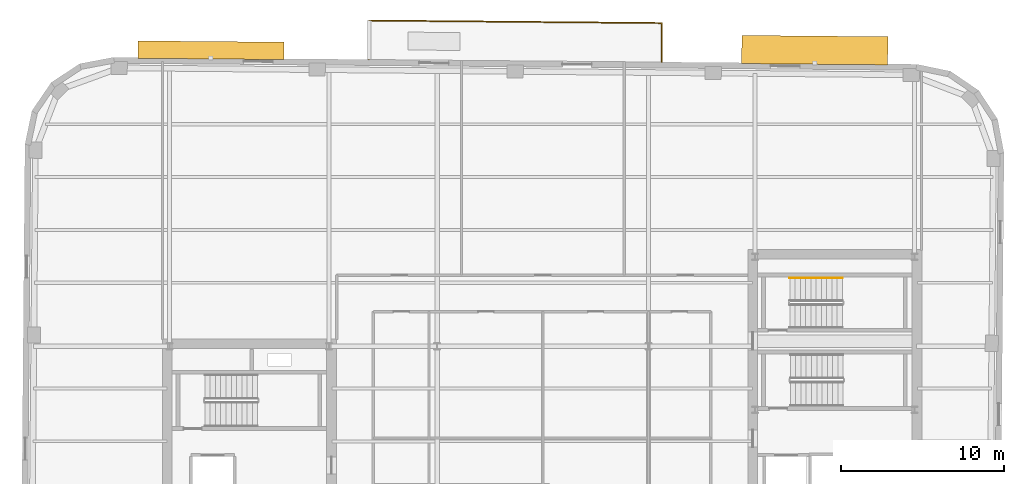
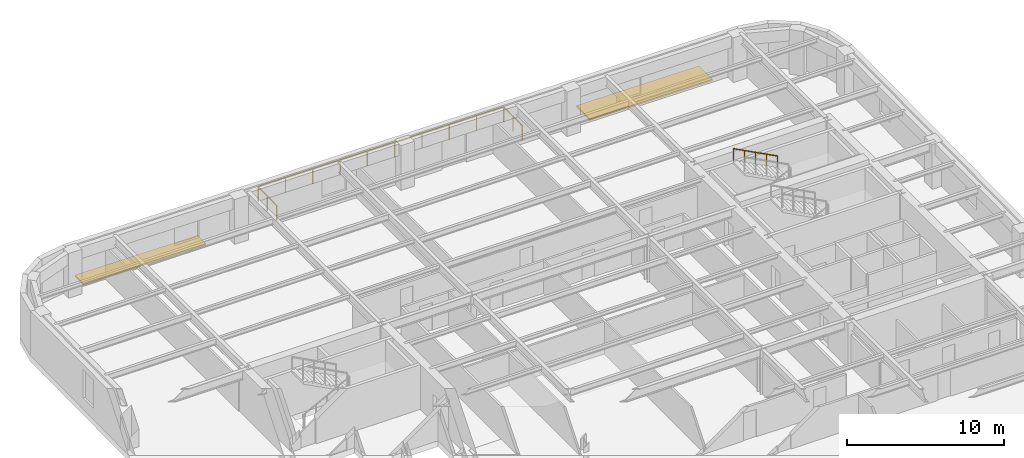
# One storey, part 11 of 11: 2 railings, 2 shading devices.
"""IFC4 building model written with IfcOpenShell, lengths in metres."""

from ifc_helpers import new_model, si_unit, direction, frame, origin, origin_2d, place, context, subcontext, project, spatial, rectangle, circle, extrude, material, type_object, element, save


model = new_model("IFC4")

# Units and contexts
model_context = context("Model", 3, precision=1e-05, world=origin(), true_north=direction((0.0, 1.0)))
body_context = subcontext(model_context, "Body", "Model", "MODEL_VIEW")
ifc_project = project(units=[si_unit("LENGTHUNIT", "METRE"), si_unit("AREAUNIT", "SQUARE_METRE"), si_unit("VOLUMEUNIT", "CUBIC_METRE"), si_unit("PLANEANGLEUNIT", "RADIAN"), si_unit("MASSUNIT", "GRAM", prefix="KILO")], contexts=[model_context])

# Site, building, storey
site_placement = place(None, origin())
site = spatial("IfcSite", under=ifc_project, at=site_placement, CompositionType="ELEMENT")
building_placement = place(site_placement, origin())
building = spatial("IfcBuilding", under=site, at=building_placement, Name="Kolvaren Arena Tower", CompositionType="ELEMENT")
storey_placement = place(building_placement, frame((0.0, 0.0, 158.449951171875)))
storey = spatial("IfcBuildingStorey", under=building, at=storey_placement, Name="L37", CompositionType="ELEMENT", Elevation=158.449951171875)

# Railings
ifc_material_1 = material(Name="Stainless steel and laminated glass guard", Category="steel")
railing_type_1 = type_object("IfcRailingType", Name="GUARD-TER-115", PredefinedType="BALUSTRADE", material=ifc_material_1)
railing_1_placement = place(storey_placement, frame((26.79931640625, 51.477783203125, 0.0)))
element("IfcRailing", 1, at=railing_1_placement, inside=storey, type_object=railing_type_1, Name="Setback Terrace Perimeter Guardrail (L37)", PredefinedType="BALUSTRADE", context=body_context, shape_type="SweptSolid", body=[
    extrude(circle(Radius=0.030029296875, at=origin_2d()), frame((0.0, 0.0, 1.119873046875), z_axis=(0.008748393587, 0.999961732073, 0.0), x_axis=(-0.999961732073, 0.008748393587, 0.0)), (0.0, 0.0, 1.0), 2.39990234375),
    extrude(circle(Radius=0.030029296875, at=origin_2d()), frame((0.02099609375, 2.39990234375, 1.119873046875), z_axis=(0.999961850634, -0.008734831222, 0.0), x_axis=(0.008734831222, 0.999961850634, 0.0)), (0.0, 0.0, 1.0), 18.0),
    extrude(circle(Radius=0.030029296875, at=origin_2d()), frame((18.020263671875, 2.24267578125, 1.119873046875), z_axis=(-0.008748393587, -0.999961732073, 0.0), x_axis=(0.999961732073, -0.008748393587, 0.0)), (0.0, 0.0, 1.0), 2.39990234375),
    extrude(circle(Radius=0.02490234375, at=origin_2d()), origin(), (0.0, 0.0, 1.0), 1.08984375),
    extrude(circle(Radius=0.02490234375, at=origin_2d()), frame((0.010498046875, 1.199951171875, 0.0)), (0.0, 0.0, 1.0), 1.08984375),
    extrude(circle(Radius=0.02490234375, at=origin_2d()), frame((0.02099609375, 2.39990234375, 0.0)), (0.0, 0.0, 1.0), 1.08984375),
    extrude(circle(Radius=0.02490234375, at=origin_2d()), frame((2.02099609375, 2.38232421875, 0.0)), (0.0, 0.0, 1.0), 1.08984375),
    extrude(circle(Radius=0.02490234375, at=origin_2d()), frame((4.020751953125, 2.364990234375, 0.0)), (0.0, 0.0, 1.0), 1.08984375),
    extrude(circle(Radius=0.02490234375, at=origin_2d()), frame((6.020751953125, 2.347412109375, 0.0)), (0.0, 0.0, 1.0), 1.08984375),
    extrude(circle(Radius=0.02490234375, at=origin_2d()), frame((8.020751953125, 2.330078125, 0.0)), (0.0, 0.0, 1.0), 1.08984375),
    extrude(circle(Radius=0.02490234375, at=origin_2d()), frame((10.0205078125, 2.3125, 0.0)), (0.0, 0.0, 1.0), 1.08984375),
    extrude(circle(Radius=0.02490234375, at=origin_2d()), frame((12.0205078125, 2.295166015625, 0.0)), (0.0, 0.0, 1.0), 1.08984375),
    extrude(circle(Radius=0.02490234375, at=origin_2d()), frame((14.0205078125, 2.277587890625, 0.0)), (0.0, 0.0, 1.0), 1.08984375),
    extrude(circle(Radius=0.02490234375, at=origin_2d()), frame((16.020263671875, 2.26025390625, 0.0)), (0.0, 0.0, 1.0), 1.08984375),
    extrude(circle(Radius=0.02490234375, at=origin_2d()), frame((18.020263671875, 2.24267578125, 0.0)), (0.0, 0.0, 1.0), 1.08984375),
    extrude(circle(Radius=0.02490234375, at=origin_2d()), frame((18.009765625, 1.042724609375, 0.0)), (0.0, 0.0, 1.0), 1.08984375),
    extrude(circle(Radius=0.02490234375, at=origin_2d()), frame((17.999267578125, -0.1572265625, 0.0)), (0.0, 0.0, 1.0), 1.08984375),
])
ifc_material_2 = material(Name="Brushed stainless steel handrail", Category="steel")
railing_type_2 = type_object("IfcRailingType", Name="HRAIL-900", PredefinedType="HANDRAIL", material=ifc_material_2)
railing_2_placement = place(storey_placement, frame((55.919921875, 38.050048828125, 2.04541015625)))
element("IfcRailing", 2, at=railing_2_placement, inside=storey, type_object=railing_type_2, Name="L37 ST-E2 stair handrail 2", PredefinedType="HANDRAIL", context=body_context, shape_type="SweptSolid", body=[
    extrude(circle(Radius=0.02392578125, at=origin_2d()), frame((0.0, 0.0, 0.8759765625), z_axis=(-0.884993431791, 0.0, 0.465603506952), x_axis=(0.0, -1.0, 0.0)), (0.0, 0.0, 1.0), 3.6611328125),
    extrude(circle(Radius=0.02099609375, at=origin_2d()), origin(), (0.0, 0.0, 1.0), 0.851806640625),
    extrude(circle(Radius=0.02099609375, at=origin_2d()), frame((-0.81005859375, 0.0, 0.42626953125)), (0.0, 0.0, 1.0), 0.851806640625),
    extrude(circle(Radius=0.02099609375, at=origin_2d()), frame((-1.6201171875, 0.0, 0.852294921875)), (0.0, 0.0, 1.0), 0.851806640625),
    extrude(circle(Radius=0.02099609375, at=origin_2d()), frame((-2.429931640625, 0.0, 1.2783203125)), (0.0, 0.0, 1.0), 0.851806640625),
    extrude(circle(Radius=0.02099609375, at=origin_2d()), frame((-3.239990234375, 0.0, 1.70458984375)), (0.0, 0.0, 1.0), 0.851806640625),
])

# Shading devices
ifc_material_3 = material(Name="Architectural precast GFRC and anodised aluminium sunshade", Category="concrete")
shading_device_type_1 = type_object("IfcShadingDeviceType", Name="SHAD-SINE-A", PredefinedType="USERDEFINED", material=ifc_material_3)
shading_device_1_placement = place(storey_placement, frame((17.093994140625, 52.048583984375, -0.139892578125), z_axis=(0.0, 0.0, 1.0), x_axis=(0.999961923064, -0.008726535498, 0.0)))
element("IfcShadingDevice", 3, at=shading_device_1_placement, inside=storey, type_object=shading_device_type_1, Name="Sinusoidal Slab-Edge Sunshade Louvre (L37)", ObjectType="LOUVRE", PredefinedType="USERDEFINED", context=body_context, shape_type="SweptSolid", body=[
    extrude(rectangle(XDim=8.97998046875, YDim=1.072265625, at=origin_2d()), origin(), (0.0, 0.0, 1.0), 0.1201171875),
])
shading_device_type_2 = type_object("IfcShadingDeviceType", Name="SHAD-SINE-B", PredefinedType="JALOUSIE", material=ifc_material_3)
shading_device_2_placement = place(storey_placement, frame((54.21533203125, 52.0546875, -0.139892578125), z_axis=(0.0, 0.0, 1.0), x_axis=(0.999961923064, -0.008726535498, 0.0)))
element("IfcShadingDevice", 4, at=shading_device_2_placement, inside=storey, type_object=shading_device_type_2, Name="Sinusoidal Slab-Edge Sunshade Louvre (L37)", PredefinedType="JALOUSIE", context=body_context, shape_type="SweptSolid", body=[
    extrude(rectangle(XDim=8.97998046875, YDim=1.732177734375, at=origin_2d()), origin(), (0.0, 0.0, 1.0), 0.1201171875),
])

save(model, "model.ifc")
